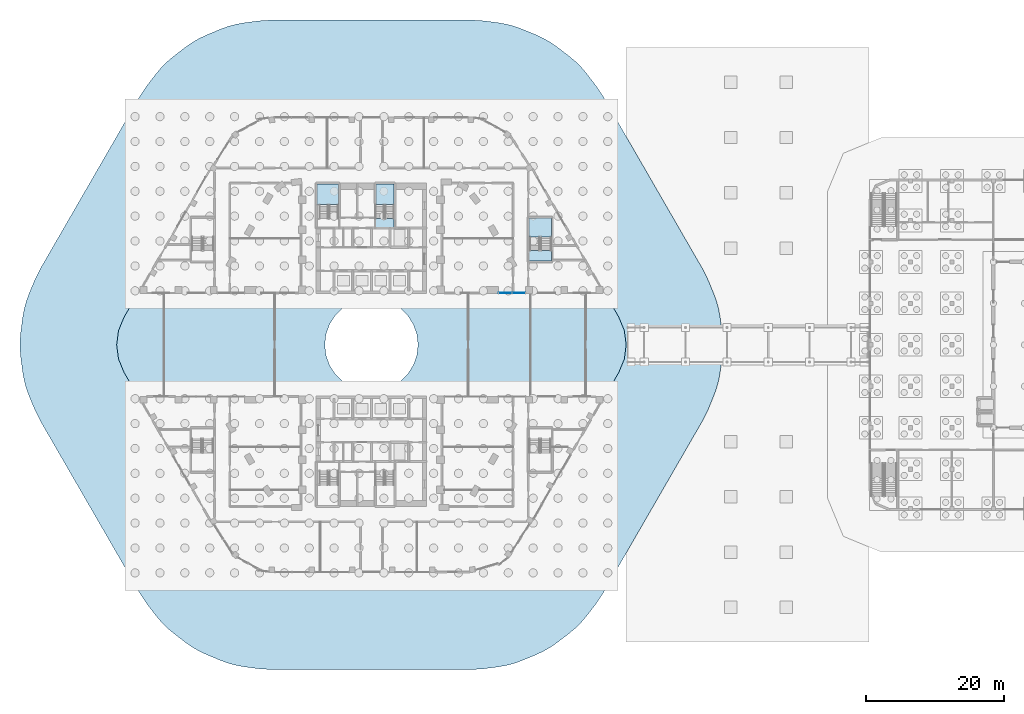
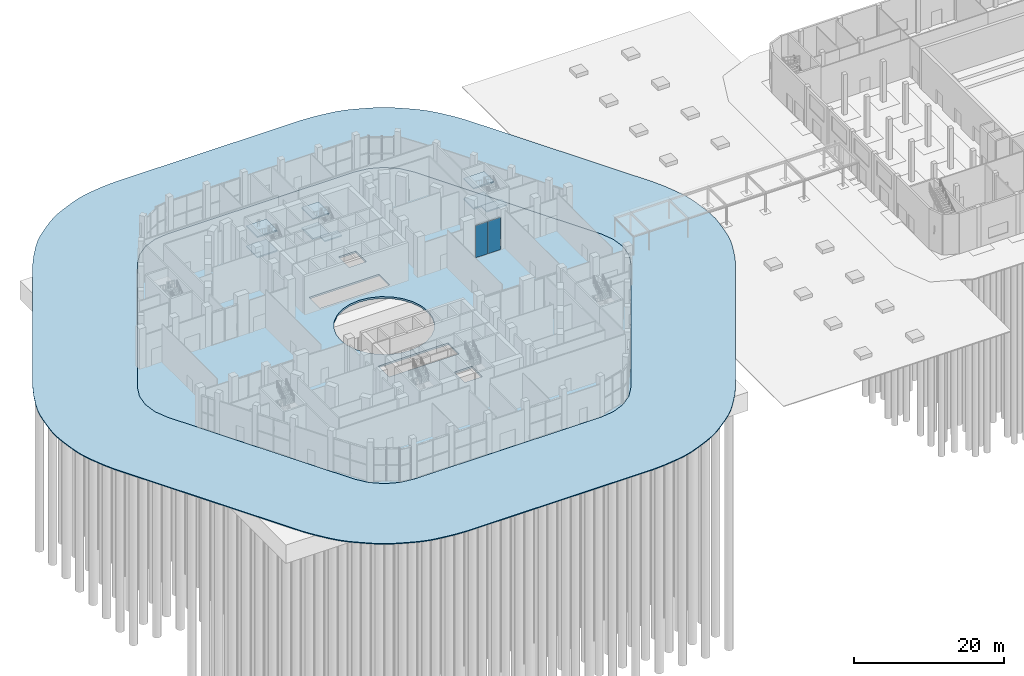
# One storey, part 20 of 44: 10 slabs, 2 plates, 4 elements without a shape of their own.
"""IFC4 building model written with IfcOpenShell, lengths in metres."""

from ifc_helpers import new_model, si_unit, direction, frame, origin, origin_2d, place, context, subcontext, project, spatial, polyline, rectangle, outline, extrude, material, layer, layer_set, type_object, element, aggregate, save


model = new_model("IFC4")

# Units and contexts
model_context = context("Model", 3, precision=1e-05, world=origin(), true_north=direction((0.0, 1.0)))
body_context = subcontext(model_context, "Body", "Model", "MODEL_VIEW")
ifc_project = project(units=[si_unit("LENGTHUNIT", "METRE"), si_unit("AREAUNIT", "SQUARE_METRE"), si_unit("VOLUMEUNIT", "CUBIC_METRE"), si_unit("PLANEANGLEUNIT", "RADIAN"), si_unit("MASSUNIT", "GRAM", prefix="KILO")], contexts=[model_context])

# Site, building, storey
site_placement = place(None, origin())
site = spatial("IfcSite", under=ifc_project, at=site_placement, CompositionType="ELEMENT")
building_placement = place(site_placement, origin())
building = spatial("IfcBuilding", under=site, at=building_placement, Name="Nakaniwa Court", CompositionType="ELEMENT")
storey_placement = place(building_placement, origin())
storey = spatial("IfcBuildingStorey", under=building, at=storey_placement, Name="L00", CompositionType="ELEMENT", Elevation=0.0)

# Slabs
ifc_material_1 = material(Name="Concrete C40/50", Category="concrete")
ifc_layer_1 = layer(ifc_material_1, 0.300048828125)
ifc_layer_set_1 = layer_set([ifc_layer_1], Name="Concrete C40/50")
slab_type_1 = type_object("IfcSlabType", Name="Concrete C40/50 ground slab 300", PredefinedType="BASESLAB", material=ifc_layer_set_1)
slab_1_placement = place(storey_placement, frame((0.0, 0.0, -0.300048828125)))
element("IfcSlab", 1, at=slab_1_placement, inside=storey, type_object=slab_type_1, Name="GROUND SLAB", PredefinedType="BASESLAB", context=body_context, shape_type="SweptSolid", body=[
    extrude(outline(polyline([(116.594970703125, 82.070556640625), (115.795654296875, 84.0), (101.362060546875, 109.0), (100.090576171875, 110.656982421875), (98.433837890625, 111.92822265625), (96.50439453125, 112.727294921875), (94.433837890625, 113.0), (65.566162109375, 113.0), (63.49560546875, 112.727294921875), (61.566162109375, 111.92822265625), (59.909423828125, 110.656982421875), (58.637939453125, 109.0), (44.204345703125, 84.0), (43.405029296875, 82.070556640625), (43.132568359375, 80.0), (43.405029296875, 77.929443359375), (44.204345703125, 76.0), (58.637939453125, 51.0), (59.909423828125, 49.343017578125), (61.566162109375, 48.07177734375), (63.49560546875, 47.272705078125), (65.566162109375, 47.0), (94.433837890625, 47.0), (96.50439453125, 47.272705078125), (98.433837890625, 48.07177734375), (100.090576171875, 49.343017578125), (101.362060546875, 51.0), (115.795654296875, 76.0), (116.594970703125, 77.929443359375), (116.867431640625, 80.0), (116.594970703125, 82.070556640625)]), holes=[polyline([(86.08154296875, 82.9287109375), (85.27734375, 84.20849609375), (84.20849609375, 85.27734375), (82.9287109375, 86.08154296875), (81.501953125, 86.580810546875), (80.0, 86.75), (78.498046875, 86.580810546875), (77.0712890625, 86.08154296875), (75.79150390625, 85.27734375), (74.72265625, 84.20849609375), (73.91845703125, 82.9287109375), (73.419189453125, 81.501953125), (73.25, 80.0), (73.419189453125, 78.498046875), (73.91845703125, 77.0712890625), (74.72265625, 75.79150390625), (75.79150390625, 74.72265625), (77.0712890625, 73.91845703125), (78.498046875, 73.419189453125), (80.0, 73.25), (81.501953125, 73.419189453125), (82.9287109375, 73.91845703125), (84.20849609375, 74.72265625), (85.27734375, 75.79150390625), (86.08154296875, 77.0712890625), (86.580810546875, 78.498046875), (86.75, 80.0), (86.580810546875, 81.501953125), (86.08154296875, 82.9287109375)]), polyline([(82.699951171875, 65.89990234375), (82.699951171875, 63.10009765625), (85.39990234375, 63.10009765625), (85.39990234375, 65.89990234375), (82.699951171875, 65.89990234375)]), polyline([(74.60009765625, 72.199951171875), (74.60009765625, 69.300048828125), (77.300048828125, 69.300048828125), (80.0, 69.300048828125), (82.699951171875, 69.300048828125), (85.39990234375, 69.300048828125), (85.39990234375, 72.199951171875), (82.699951171875, 72.199951171875), (80.0, 72.199951171875), (77.300048828125, 72.199951171875), (74.60009765625, 72.199951171875)]), polyline([(74.60009765625, 90.699951171875), (74.60009765625, 87.800048828125), (77.300048828125, 87.800048828125), (80.0, 87.800048828125), (82.699951171875, 87.800048828125), (85.39990234375, 87.800048828125), (85.39990234375, 90.699951171875), (82.699951171875, 90.699951171875), (80.0, 90.699951171875), (77.300048828125, 90.699951171875), (74.60009765625, 90.699951171875)]), polyline([(85.39990234375, 96.89990234375), (82.699951171875, 96.89990234375), (82.699951171875, 94.10009765625), (85.39990234375, 94.10009765625), (85.39990234375, 96.89990234375)])]), origin(), (0.0, 0.0, 1.0), 0.300048828125),
])
ifc_material_2 = material(Name="Dark granite paving", Category="masonry")
ifc_layer_2 = layer(ifc_material_2, 0.05, Name="Granite paving")
ifc_material_3 = material(Name="Bedding sand")
ifc_layer_3 = layer(ifc_material_3, 0.03, Name="Sand bed")
ifc_material_4 = material(Name="Compacted crushed rock base")
ifc_layer_4 = layer(ifc_material_4, 0.07, Name="Crushed rock base")
ifc_layer_set_2 = layer_set([ifc_layer_2, ifc_layer_3, ifc_layer_4], Name="Dark granite paving on crushed rock base")
slab_type_2 = type_object("IfcSlabType", Name="Dark granite paving 150", PredefinedType="USERDEFINED", material=ifc_layer_set_2)
slab_2_placement = place(storey_placement, frame((0.0, 0.0, -0.14990234375)))
element("IfcSlab", 2, at=slab_2_placement, inside=storey, type_object=slab_type_2, Name="Tower plaza paving 1", ObjectType="PAVING", PredefinedType="USERDEFINED", context=body_context, shape_type="SweptSolid", body=[
    extrude(outline(polyline([(128.72998046875, 89.357666015625), (129.529052734375, 87.42822265625), (129.947021484375, 86.280517578125), (130.262939453125, 85.100830078125), (130.47509765625, 83.89794921875), (130.747802734375, 81.827392578125), (130.854248046875, 80.610595703125), (130.854248046875, 79.389404296875), (130.747802734375, 78.172607421875), (130.47509765625, 76.10205078125), (130.262939453125, 74.899169921875), (129.947021484375, 73.719482421875), (129.529052734375, 72.57177734375), (128.72998046875, 70.642333984375), (127.920166015625, 69.0), (113.486328125, 44.0), (112.468994140625, 42.477294921875), (111.197509765625, 40.8203125), (110.412353515625, 39.884765625), (109.548828125, 39.021240234375), (108.61328125, 38.236083984375), (106.95654296875, 36.96484375), (105.955810546875, 36.26416015625), (104.898193359375, 35.653564453125), (103.791259765625, 35.137451171875), (101.86181640625, 34.338134765625), (100.714111328125, 33.920654296875), (99.534423828125, 33.6044921875), (98.331787109375, 33.392333984375), (96.26123046875, 33.119873046875), (94.433837890625, 33.0), (65.566162109375, 33.0), (63.73876953125, 33.119873046875), (61.668212890625, 33.392333984375), (60.465576171875, 33.6044921875), (59.285888671875, 33.920654296875), (58.13818359375, 34.338134765625), (56.208740234375, 35.137451171875), (55.101806640625, 35.653564453125), (54.044189453125, 36.26416015625), (53.04345703125, 36.96484375), (51.38671875, 38.236083984375), (50.451171875, 39.021240234375), (49.587646484375, 39.884765625), (48.802490234375, 40.8203125), (47.531005859375, 42.477294921875), (46.513671875, 44.0), (32.079833984375, 69.0), (31.27001953125, 70.642333984375), (30.470947265625, 72.57177734375), (30.052978515625, 73.719482421875), (29.737060546875, 74.899169921875), (29.52490234375, 76.10205078125), (29.252197265625, 78.172607421875), (29.145751953125, 79.389404296875), (29.145751953125, 80.610595703125), (29.252197265625, 81.827392578125), (29.52490234375, 83.89794921875), (29.737060546875, 85.100830078125), (30.052978515625, 86.280517578125), (30.470947265625, 87.42822265625), (31.27001953125, 89.357666015625), (32.079833984375, 91.0), (46.513671875, 116.0), (47.531005859375, 117.522705078125), (48.802490234375, 119.1796875), (49.587646484375, 120.115234375), (50.451171875, 120.978759765625), (51.38671875, 121.763916015625), (53.04345703125, 123.03515625), (54.044189453125, 123.73583984375), (55.101806640625, 124.346435546875), (56.208740234375, 124.862548828125), (58.13818359375, 125.661865234375), (59.285888671875, 126.079345703125), (60.465576171875, 126.3955078125), (61.668212890625, 126.607666015625), (63.73876953125, 126.880126953125), (65.566162109375, 127.0), (94.433837890625, 127.0), (96.26123046875, 126.880126953125), (98.331787109375, 126.607666015625), (99.534423828125, 126.3955078125), (100.714111328125, 126.079345703125), (101.86181640625, 125.661865234375), (103.791259765625, 124.862548828125), (104.898193359375, 124.346435546875), (105.955810546875, 123.73583984375), (106.95654296875, 123.03515625), (108.61328125, 121.763916015625), (109.548828125, 120.978759765625), (110.412353515625, 120.115234375), (111.197509765625, 119.1796875), (112.468994140625, 117.522705078125), (113.486328125, 116.0), (127.920166015625, 91.0), (128.72998046875, 89.357666015625)]), holes=[polyline([(101.362060546875, 109.0), (100.090576171875, 110.656982421875), (98.433837890625, 111.92822265625), (96.50439453125, 112.727294921875), (94.433837890625, 113.0), (65.566162109375, 113.0), (63.49560546875, 112.727294921875), (61.566162109375, 111.92822265625), (59.909423828125, 110.656982421875), (58.637939453125, 109.0), (44.204345703125, 84.0), (43.405029296875, 82.070556640625), (43.132568359375, 80.0), (43.405029296875, 77.929443359375), (44.204345703125, 76.0), (58.637939453125, 51.0), (59.909423828125, 49.343017578125), (61.566162109375, 48.07177734375), (63.49560546875, 47.272705078125), (65.566162109375, 47.0), (94.433837890625, 47.0), (96.50439453125, 47.272705078125), (98.433837890625, 48.07177734375), (100.090576171875, 49.343017578125), (101.362060546875, 51.0), (115.795654296875, 76.0), (116.594970703125, 77.929443359375), (116.867431640625, 80.0), (116.594970703125, 82.070556640625), (115.795654296875, 84.0), (101.362060546875, 109.0)])]), origin(), (0.0, 0.0, 1.0), 0.14990234375),
])

# Curtain wall, plates
ifc_material_5 = material(Name="Black anodised aluminium frame with dark low-E laminated double glazing", Category="aluminium")
ifc_layer_5 = layer(ifc_material_5, 0.199951171875)
ifc_layer_set_3 = layer_set([ifc_layer_5], Name="Black anodised aluminium frame with dark low-E laminated double glazing")
curtain_wall_type = type_object("IfcCurtainWallType", Name="Portal side curtain wall", PredefinedType="NOTDEFINED", material=ifc_layer_set_3)
curtain_wall_placement = place(storey_placement, origin())
curtain_wall = element("IfcCurtainWall", 3, at=curtain_wall_placement, inside=storey, type_object=curtain_wall_type, Name="L00 curtain wall CW5 36", PredefinedType="NOTDEFINED")
ifc_material_6 = material(Name="Dark toughened glass", Category="glass")
ifc_layer_6 = layer(ifc_material_6, 0.009, Name="Outer pane")
ifc_material_7 = material(Name="Argon filled cavity")
ifc_layer_7 = layer(ifc_material_7, 0.016, Name="Cavity")
ifc_material_8 = material(Name="Dark laminated safety glass", Category="glass")
ifc_layer_8 = layer(ifc_material_8, 0.009, Name="Inner pane")
ifc_layer_set_4 = layer_set([ifc_layer_6, ifc_layer_7, ifc_layer_8], Name="Dark low-E laminated double glazing")
plate_type = type_object("IfcPlateType", Name="Portal side curtain wall glass panel", PredefinedType="CURTAIN_PANEL", material=ifc_layer_set_4)
plate_1_placement = place(storey_placement, frame((99.365966796875, 87.5, 0.06494140625), z_axis=(0.0, 0.0, 1.0), x_axis=(1.0, 0.0, 0.0)))
plate_1 = element("IfcPlate", 4, at=plate_1_placement, type_object=plate_type, Name="CW5 panel 1.1", PredefinedType="CURTAIN_PANEL", context=body_context, shape_type="SweptSolid", body=[
    extrude(rectangle(XDim=1.8740234375, YDim=0.033935546875, at=origin_2d()), origin(), (0.0, 0.0, 1.0), 5.27001953125),
])
plate_2_placement = place(storey_placement, frame((101.31494140625, 87.5, 0.06494140625), z_axis=(0.0, 0.0, 1.0), x_axis=(1.0, 0.0, 0.0)))
plate_2 = element("IfcPlate", 5, at=plate_2_placement, type_object=plate_type, Name="CW5 panel 2.1", PredefinedType="CURTAIN_PANEL", context=body_context, shape_type="SweptSolid", body=[
    extrude(rectangle(XDim=1.8740234375, YDim=0.033935546875, at=origin_2d()), origin(), (0.0, 0.0, 1.0), 5.27001953125),
])
aggregate(curtain_wall, [plate_1, plate_2])

# Stair, slabs
ifc_material_9 = material(Name="Concrete C80/100", Category="concrete")
stair_type_1 = type_object("IfcStairType", Name="Dog leg stair 1300 wide 36 risers", PredefinedType="HALF_TURN_STAIR", material=ifc_material_9)
stair_1_placement = place(storey_placement, origin())
stair_1 = element("IfcStair", 6, at=stair_1_placement, inside=storey, type_object=stair_type_1, Name="L00 Stair ST1", PredefinedType="HALF_TURN_STAIR")
ifc_layer_9 = layer(ifc_material_9, 0.199951171875)
ifc_layer_set_5 = layer_set([ifc_layer_9], Name="Concrete C80/100")
slab_type_3 = type_object("IfcSlabType", Name="Stair landing concrete", PredefinedType="LANDING", material=ifc_layer_set_5)
slab_3_placement = place(storey_placement, frame((0.0, 0.0, 1.449951171875)))
slab_3 = element("IfcSlab", 7, at=slab_3_placement, type_object=slab_type_3, Name="ST1 landing 1", PredefinedType="LANDING", context=body_context, shape_type="SweptSolid", body=[
    extrude(outline(polyline([(75.22509765625, 100.27490234375), (75.22509765625, 103.27490234375), (72.125, 103.27490234375), (72.125, 100.27490234375), (75.22509765625, 100.27490234375)])), origin(), (0.0, 0.0, 1.0), 0.199951171875),
])
slab_4_placement = place(storey_placement, frame((0.0, 0.0, 4.75)))
slab_4 = element("IfcSlab", 8, at=slab_4_placement, type_object=slab_type_3, Name="ST1 landing 3", PredefinedType="LANDING", context=body_context, shape_type="SweptSolid", body=[
    extrude(outline(polyline([(75.22509765625, 100.27490234375), (75.22509765625, 103.27490234375), (72.125, 103.27490234375), (72.125, 100.27490234375), (75.22509765625, 100.27490234375)])), origin(), (0.0, 0.0, 1.0), 0.199951171875),
])
aggregate(stair_1, [slab_3, slab_4])

stair_2_placement = place(storey_placement, origin())
stair_2 = element("IfcStair", 9, at=stair_2_placement, inside=storey, type_object=stair_type_1, Name="L00 Stair ST2", PredefinedType="HALF_TURN_STAIR")
slab_5_placement = place(storey_placement, frame((0.0, 0.0, 1.449951171875)))
slab_5 = element("IfcSlab", 10, at=slab_5_placement, type_object=slab_type_3, Name="ST2 landing 1", PredefinedType="LANDING", context=body_context, shape_type="SweptSolid", body=[
    extrude(outline(polyline([(83.27490234375, 100.27490234375), (83.27490234375, 103.27490234375), (80.675048828125, 103.27490234375), (80.675048828125, 100.27490234375), (83.27490234375, 100.27490234375)])), origin(), (0.0, 0.0, 1.0), 0.199951171875),
])
slab_6_placement = place(storey_placement, frame((0.0, 0.0, 3.10009765625)))
slab_6 = element("IfcSlab", 11, at=slab_6_placement, type_object=slab_type_3, Name="ST2 landing 2", PredefinedType="LANDING", context=body_context, shape_type="SweptSolid", body=[
    extrude(outline(polyline([(83.27490234375, 96.97509765625), (83.27490234375, 98.27490234375), (80.625, 98.27490234375), (80.625, 96.97509765625), (83.27490234375, 96.97509765625)])), origin(), (0.0, 0.0, 1.0), 0.199951171875),
])
slab_7_placement = place(storey_placement, frame((0.0, 0.0, 4.75)))
slab_7 = element("IfcSlab", 12, at=slab_7_placement, type_object=slab_type_3, Name="ST2 landing 3", PredefinedType="LANDING", context=body_context, shape_type="SweptSolid", body=[
    extrude(outline(polyline([(83.27490234375, 100.27490234375), (83.27490234375, 103.27490234375), (80.675048828125, 103.27490234375), (80.675048828125, 100.27490234375), (83.27490234375, 100.27490234375)])), origin(), (0.0, 0.0, 1.0), 0.199951171875),
])
aggregate(stair_2, [slab_5, slab_6, slab_7])

stair_type_2 = type_object("IfcStairType", Name="Dog leg stair 1500 wide 36 risers", PredefinedType="HALF_TURN_STAIR", material=ifc_material_9)
stair_3_placement = place(storey_placement, origin())
stair_3 = element("IfcStair", 13, at=stair_3_placement, inside=storey, type_object=stair_type_2, Name="L00 Stair SS1", PredefinedType="HALF_TURN_STAIR")
slab_8_placement = place(storey_placement, frame((0.0, 0.0, 1.449951171875)))
slab_8 = element("IfcSlab", 14, at=slab_8_placement, type_object=slab_type_3, Name="SS1 landing 1", PredefinedType="LANDING", context=body_context, shape_type="SweptSolid", body=[
    extrude(outline(polyline([(106.02490234375, 95.625), (106.02490234375, 98.324951171875), (102.824951171875, 98.324951171875), (102.824951171875, 95.625), (106.02490234375, 95.625)])), origin(), (0.0, 0.0, 1.0), 0.199951171875),
])
slab_9_placement = place(storey_placement, frame((0.0, 0.0, 3.10009765625)))
slab_9 = element("IfcSlab", 15, at=slab_9_placement, type_object=slab_type_3, Name="SS1 landing 2", PredefinedType="LANDING", context=body_context, shape_type="SweptSolid", body=[
    extrude(outline(polyline([(106.02490234375, 92.125), (106.02490234375, 93.625), (102.824951171875, 93.625), (102.824951171875, 92.125), (106.02490234375, 92.125)])), origin(), (0.0, 0.0, 1.0), 0.199951171875),
])
slab_10_placement = place(storey_placement, frame((0.0, 0.0, 4.75)))
slab_10 = element("IfcSlab", 16, at=slab_10_placement, type_object=slab_type_3, Name="SS1 landing 3", PredefinedType="LANDING", context=body_context, shape_type="SweptSolid", body=[
    extrude(outline(polyline([(106.02490234375, 95.625), (106.02490234375, 98.324951171875), (102.824951171875, 98.324951171875), (102.824951171875, 95.625), (106.02490234375, 95.625)])), origin(), (0.0, 0.0, 1.0), 0.199951171875),
])
aggregate(stair_3, [slab_8, slab_9, slab_10])

save(model, "model.ifc")
